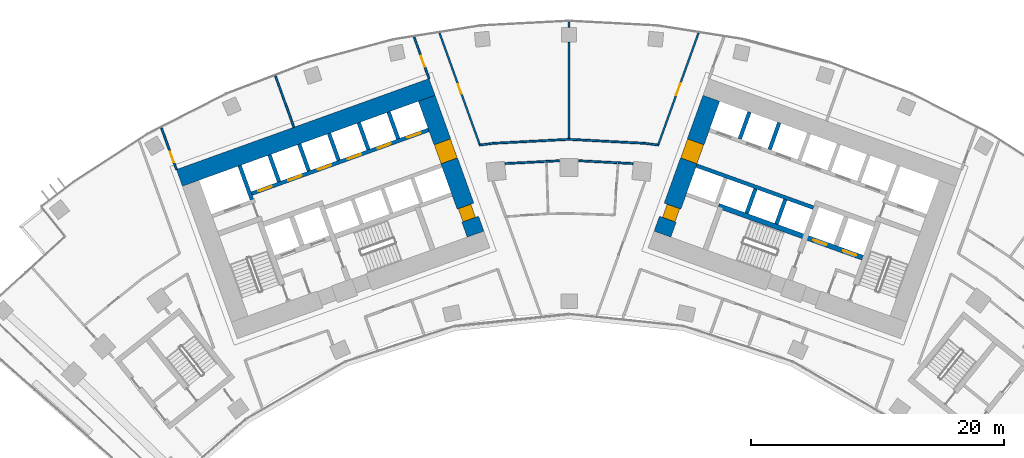
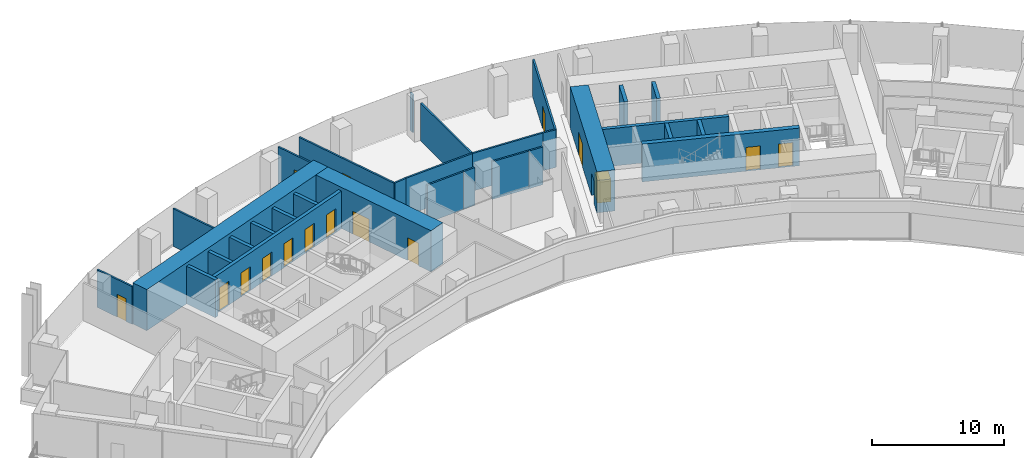
# One storey, part 15 of 20: 31 walls, 16 doors, 16 openings.
"""IFC4 building model written with IfcOpenShell, lengths in metres."""

from ifc_helpers import new_model, si_unit, direction, frame, frame_2d, origin, place, context, subcontext, project, spatial, rectangle, extrude, material, layer, layer_set, type_object, element, fill, save


model = new_model("IFC4")

# Units and contexts
model_context = context("Model", 3, precision=1e-05, world=origin(), true_north=direction((0.0, 1.0)))
body_context = subcontext(model_context, "Body", "Model", "MODEL_VIEW")
ifc_project = project(units=[si_unit("LENGTHUNIT", "METRE"), si_unit("AREAUNIT", "SQUARE_METRE"), si_unit("VOLUMEUNIT", "CUBIC_METRE"), si_unit("PLANEANGLEUNIT", "RADIAN"), si_unit("MASSUNIT", "GRAM", prefix="KILO")], contexts=[model_context])

# Site, building, storey
site_placement = place(None, origin())
site = spatial("IfcSite", under=ifc_project, at=site_placement, CompositionType="ELEMENT")
building_placement = place(site_placement, origin())
building = spatial("IfcBuilding", under=site, at=building_placement, Name="Stone Belt Terrace Tower", CompositionType="ELEMENT")
storey_placement = place(building_placement, frame((0.0, 0.0, 125.0)))
storey = spatial("IfcBuildingStorey", under=building, at=storey_placement, Name="L30", CompositionType="ELEMENT", Elevation=125.0)

# Wall
ifc_material_1 = material(Name="Concrete B80", Category="concrete")
ifc_layer_1 = layer(ifc_material_1, 1.39990234375)
ifc_layer_set_1 = layer_set([ifc_layer_1], Name="Core wall 1400 B80")
wall_type_1 = type_object("IfcWallType", Name="Core wall 1400 B80", PredefinedType="SHEAR", material=ifc_layer_set_1)
wall_1_placement = place(storey_placement, frame((-30.765380859375, 54.18310546875, 0.0), z_axis=(0.0, 0.0, 1.0), x_axis=(0.940919704758, 0.338629752382, 0.0)))
element("IfcWall", 1, at=wall_1_placement, inside=storey, type_object=wall_type_1, Name="Core A wall convex L30", PredefinedType="SHEAR", context=body_context, shape_type="SweptSolid", body=[
    extrude(rectangle(XDim=21.199951171875, YDim=1.39990234375, at=frame_2d((10.60009765625, 0.0))), origin(), (0.0, 0.0, 1.0), 3.800048828125),
])

# Wall, openings, doors
wall_2_placement = place(storey_placement, frame((-7.379150390625, 49.73974609375, 0.0), z_axis=(0.0, 0.0, 1.0), x_axis=(-0.338625431531, 0.940921259788, 0.0)))
wall_2 = element("IfcWall", 2, at=wall_2_placement, inside=storey, type_object=wall_type_1, Name="Core A wall end_b L30", PredefinedType="SHEAR", context=body_context, shape_type="SweptSolid", body=[
    extrude(rectangle(XDim=11.400146484375, YDim=1.39990234375, at=frame_2d((5.7001953125, 0.0))), origin(), (0.0, 0.0, 1.0), 3.800048828125),
])
opening_1_placement = place(wall_2_placement, frame((6.14990234375, 0.0, 0.0)))
opening_1 = element("IfcOpeningElement", 3, at=opening_1_placement, cuts=wall_2, Name="Opening L30-C02", PredefinedType="OPENING", context=body_context, shape_type="SweptSolid", body=[
    extrude(rectangle(XDim=1.60009765625, YDim=2.10009765625, at=frame_2d((0.800048828125, 1.050048828125))), frame((0.0, 0.7099609375, 0.0), z_axis=(0.0, -1.0, 0.0), x_axis=(1.0, 0.0, 0.0)), (0.0, 0.0, 1.0), 1.419921875),
])
opening_2_placement = place(wall_2_placement, frame((1.25, 0.0, 0.0)))
opening_2 = element("IfcOpeningElement", 4, at=opening_2_placement, cuts=wall_2, Name="Opening L30-C08", PredefinedType="OPENING", context=body_context, shape_type="SweptSolid", body=[
    extrude(rectangle(XDim=1.10009765625, YDim=2.10009765625, at=frame_2d((0.550048828125, 1.050048828125))), frame((0.0, 0.7099609375, 0.0), z_axis=(0.0, -1.0, 0.0), x_axis=(1.0, 0.0, 0.0)), (0.0, 0.0, 1.0), 1.419921875),
])
ifc_material_2 = material(Name="Timber door leaf", Category="wood")
door_type_1 = type_object("IfcDoorType", Name="Core room door 1100", OperationType="SINGLE_SWING_LEFT", PredefinedType="DOOR", material=ifc_material_2)
door_1_placement = place(opening_2_placement, origin())
door_1 = element("IfcDoor", 5, at=door_1_placement, inside=storey, type_object=door_type_1, Name="Door to Electrical riser room core A", OperationType="SINGLE_SWING_RIGHT", OverallHeight=2.10009765625, OverallWidth=1.10009765625, PredefinedType="DOOR", context=body_context, shape_type="SweptSolid", body=[
    extrude(rectangle(XDim=1.10009765625, YDim=2.10009765625, at=frame_2d((0.550048828125, 1.050048828125))), frame((0.0, 0.60498046875, 0.0), z_axis=(0.0, -1.0, 0.0), x_axis=(1.0, 0.0, 0.0)), (0.0, 0.0, 1.0), 1.050048828125),
])
fill(opening_2, door_1)
ifc_material_3 = material(Name="Glazed aluminium door leaf", Category="aluminium")
door_type_2 = type_object("IfcDoorType", Name="Lift lobby entrance door 1600", OperationType="DOUBLE_DOOR_SINGLE_SWING", PredefinedType="DOOR", material=ifc_material_3)
door_2_placement = place(opening_1_placement, origin())
door_2 = element("IfcDoor", 6, at=door_2_placement, inside=storey, type_object=door_type_2, Name="Lift lobby entrance door core A", OperationType="DOUBLE_DOOR_SINGLE_SWING", OverallHeight=2.10009765625, OverallWidth=1.60009765625, PredefinedType="DOOR", context=body_context, shape_type="SweptSolid", body=[
    extrude(rectangle(XDim=1.60009765625, YDim=2.10009765625, at=frame_2d((0.800048828125, 1.050048828125))), frame((0.0, 0.68017578125, 0.0), z_axis=(0.0, -1.0, 0.0), x_axis=(1.0, 0.0, 0.0)), (0.0, 0.0, 1.0), 1.360107421875),
])
fill(opening_1, door_2)

wall_3_placement = place(storey_placement, frame((7.379150390625, 49.73974609375, 0.0), z_axis=(0.0, 0.0, 1.0), x_axis=(0.338625431531, 0.940921259788, 0.0)))
wall_3 = element("IfcWall", 7, at=wall_3_placement, inside=storey, type_object=wall_type_1, Name="Core B wall end_a L30", PredefinedType="SHEAR", context=body_context, shape_type="SweptSolid", body=[
    extrude(rectangle(XDim=11.400146484375, YDim=1.39990234375, at=frame_2d((5.7001953125, 0.0))), origin(), (0.0, 0.0, 1.0), 3.800048828125),
])
opening_3_placement = place(wall_3_placement, frame((6.14990234375, 0.0, 0.0)))
opening_3 = element("IfcOpeningElement", 8, at=opening_3_placement, cuts=wall_3, Name="Opening L30-C10", PredefinedType="OPENING", context=body_context, shape_type="SweptSolid", body=[
    extrude(rectangle(XDim=1.60009765625, YDim=2.10009765625, at=frame_2d((0.800048828125, 1.050048828125))), frame((0.0, 0.7099609375, 0.0), z_axis=(0.0, -1.0, 0.0), x_axis=(1.0, 0.0, 0.0)), (0.0, 0.0, 1.0), 1.419921875),
])
opening_4_placement = place(wall_3_placement, frame((1.25, 0.0, 0.0)))
opening_4 = element("IfcOpeningElement", 9, at=opening_4_placement, cuts=wall_3, Name="Opening L30-C16", PredefinedType="OPENING", context=body_context, shape_type="SweptSolid", body=[
    extrude(rectangle(XDim=1.10009765625, YDim=2.10009765625, at=frame_2d((0.550048828125, 1.050048828125))), frame((0.0, 0.7099609375, 0.0), z_axis=(0.0, -1.0, 0.0), x_axis=(1.0, 0.0, 0.0)), (0.0, 0.0, 1.0), 1.419921875),
])
door_3_placement = place(opening_4_placement, origin())
door_3 = element("IfcDoor", 10, at=door_3_placement, inside=storey, type_object=door_type_1, Name="Door to Electrical riser room core B", OperationType="SINGLE_SWING_LEFT", OverallHeight=2.10009765625, OverallWidth=1.10009765625, PredefinedType="DOOR", context=body_context, shape_type="SweptSolid", body=[
    extrude(rectangle(XDim=1.10009765625, YDim=2.10009765625, at=frame_2d((0.550048828125, 1.050048828125))), frame((0.0, 0.44482421875, 0.0), z_axis=(0.0, -1.0, 0.0), x_axis=(1.0, 0.0, 0.0)), (0.0, 0.0, 1.0), 1.050048828125),
])
fill(opening_4, door_3)
door_4_placement = place(opening_3_placement, origin())
door_4 = element("IfcDoor", 11, at=door_4_placement, inside=storey, type_object=door_type_2, Name="Lift lobby entrance door core B", OperationType="DOUBLE_DOOR_SINGLE_SWING", OverallHeight=2.10009765625, OverallWidth=1.60009765625, PredefinedType="DOOR", context=body_context, shape_type="SweptSolid", body=[
    extrude(rectangle(XDim=1.60009765625, YDim=2.10009765625, at=frame_2d((0.800048828125, 1.050048828125))), frame((0.0, 0.68017578125, 0.0), z_axis=(0.0, -1.0, 0.0), x_axis=(1.0, 0.0, 0.0)), (0.0, 0.0, 1.0), 1.360107421875),
])
fill(opening_3, door_4)

# Wall
ifc_layer_2 = layer(ifc_material_1, 0.300048828125)
ifc_layer_set_2 = layer_set([ifc_layer_2], Name="Lift shaft wall 300")
wall_type_2 = type_object("IfcWallType", Name="Lift shaft wall 300", PredefinedType="SHEAR", material=ifc_layer_set_2)
wall_4_placement = place(storey_placement, frame((-25.046875, 52.46826171875, 0.0), z_axis=(0.0, 0.0, 1.0), x_axis=(-0.338549588058, 0.940948551423, 0.0)))
element("IfcWall", 12, at=wall_4_placement, inside=storey, type_object=wall_type_2, Name="Core A wall", PredefinedType="SHEAR", context=body_context, shape_type="SweptSolid", body=[
    extrude(rectangle(XDim=2.849853515625, YDim=0.300048828125, at=frame_2d((1.4248046875, 0.0))), origin(), (0.0, 0.0, 1.0), 3.47998046875),
])

# Wall, openings, doors
wall_5_placement = place(storey_placement, frame((-25.05810546875, 52.9423828125, 0.0), z_axis=(0.0, 0.0, 1.0), x_axis=(0.940918215764, 0.338633889685, 0.0)))
wall_5 = element("IfcWall", 13, at=wall_5_placement, inside=storey, type_object=wall_type_2, Name="Core A wall", PredefinedType="SHEAR", context=body_context, shape_type="SweptSolid", body=[
    extrude(rectangle(XDim=14.850341796875, YDim=0.300048828125, at=frame_2d((7.42529296875, 0.0))), origin(), (0.0, 0.0, 1.0), 3.47998046875),
])
opening_5_placement = place(wall_5_placement, frame((0.570068359375, 0.0, 0.0)))
opening_5 = element("IfcOpeningElement", 14, at=opening_5_placement, cuts=wall_5, Name="Opening L30-LD01", PredefinedType="OPENING", context=body_context, shape_type="SweptSolid", body=[
    extrude(rectangle(XDim=1.10009765625, YDim=2.199951171875, at=frame_2d((0.550048828125, 1.10009765625))), frame((0.0, 0.159912109375, 0.0), z_axis=(0.0, -1.0, 0.0), x_axis=(1.0, 0.0, 0.0)), (0.0, 0.0, 1.0), 0.320068359375),
])
opening_6_placement = place(wall_5_placement, frame((3.070068359375, 0.0, 0.0)))
opening_6 = element("IfcOpeningElement", 15, at=opening_6_placement, cuts=wall_5, Name="Opening L30-LD02", PredefinedType="OPENING", context=body_context, shape_type="SweptSolid", body=[
    extrude(rectangle(XDim=1.10009765625, YDim=2.199951171875, at=frame_2d((0.550048828125, 1.10009765625))), frame((0.0, 0.159912109375, 0.0), z_axis=(0.0, -1.0, 0.0), x_axis=(1.0, 0.0, 0.0)), (0.0, 0.0, 1.0), 0.320068359375),
])
opening_7_placement = place(wall_5_placement, frame((5.570068359375, 0.0, 0.0)))
opening_7 = element("IfcOpeningElement", 16, at=opening_7_placement, cuts=wall_5, Name="Opening L30-LD03", PredefinedType="OPENING", context=body_context, shape_type="SweptSolid", body=[
    extrude(rectangle(XDim=1.10009765625, YDim=2.199951171875, at=frame_2d((0.550048828125, 1.10009765625))), frame((0.0, 0.159912109375, 0.0), z_axis=(0.0, -1.0, 0.0), x_axis=(1.0, 0.0, 0.0)), (0.0, 0.0, 1.0), 0.320068359375),
])
opening_8_placement = place(wall_5_placement, frame((8.070068359375, 0.0, 0.0)))
opening_8 = element("IfcOpeningElement", 17, at=opening_8_placement, cuts=wall_5, Name="Opening L30-LD04", PredefinedType="OPENING", context=body_context, shape_type="SweptSolid", body=[
    extrude(rectangle(XDim=1.10009765625, YDim=2.199951171875, at=frame_2d((0.550048828125, 1.10009765625))), frame((0.0, 0.159912109375, 0.0), z_axis=(0.0, -1.0, 0.0), x_axis=(1.0, 0.0, 0.0)), (0.0, 0.0, 1.0), 0.320068359375),
])
opening_9_placement = place(wall_5_placement, frame((10.570068359375, 0.0, 0.0)))
opening_9 = element("IfcOpeningElement", 18, at=opening_9_placement, cuts=wall_5, Name="Opening L30-LD05", PredefinedType="OPENING", context=body_context, shape_type="SweptSolid", body=[
    extrude(rectangle(XDim=1.10009765625, YDim=2.199951171875, at=frame_2d((0.550048828125, 1.10009765625))), frame((0.0, 0.159912109375, 0.0), z_axis=(0.0, -1.0, 0.0), x_axis=(1.0, 0.0, 0.0)), (0.0, 0.0, 1.0), 0.320068359375),
])
opening_10_placement = place(wall_5_placement, frame((13.070068359375, 0.0, 0.0)))
opening_10 = element("IfcOpeningElement", 19, at=opening_10_placement, cuts=wall_5, Name="Opening L30-LD06", PredefinedType="OPENING", context=body_context, shape_type="SweptSolid", body=[
    extrude(rectangle(XDim=1.10009765625, YDim=2.199951171875, at=frame_2d((0.550048828125, 1.10009765625))), frame((0.0, 0.159912109375, 0.0), z_axis=(0.0, -1.0, 0.0), x_axis=(1.0, 0.0, 0.0)), (0.0, 0.0, 1.0), 0.320068359375),
])
ifc_material_4 = material(Name="Stainless steel door leaf", Category="steel")
door_type_3 = type_object("IfcDoorType", Name="Landing door 1100", OperationType="SLIDING_TO_LEFT", PredefinedType="DOOR", material=ifc_material_4)
door_5_placement = place(opening_5_placement, origin())
door_5 = element("IfcDoor", 20, at=door_5_placement, inside=storey, type_object=door_type_3, Name="Landing door LR1 core A", OperationType="SLIDING_TO_LEFT", OverallHeight=2.199951171875, OverallWidth=1.10009765625, PredefinedType="DOOR", context=body_context, shape_type="SweptSolid", body=[
    extrude(rectangle(XDim=1.10009765625, YDim=2.199951171875, at=frame_2d((0.550048828125, 1.10009765625))), frame((0.0, 0.02490234375, 0.0), z_axis=(0.0, -1.0, 0.0), x_axis=(1.0, 0.0, 0.0)), (0.0, 0.0, 1.0), 0.050048828125),
])
fill(opening_5, door_5)
door_6_placement = place(opening_6_placement, origin())
door_6 = element("IfcDoor", 21, at=door_6_placement, inside=storey, type_object=door_type_3, Name="Landing door LR2 core A", OperationType="SLIDING_TO_LEFT", OverallHeight=2.199951171875, OverallWidth=1.10009765625, PredefinedType="DOOR", context=body_context, shape_type="SweptSolid", body=[
    extrude(rectangle(XDim=1.10009765625, YDim=2.199951171875, at=frame_2d((0.550048828125, 1.10009765625))), frame((0.0, 0.02490234375, 0.0), z_axis=(0.0, -1.0, 0.0), x_axis=(1.0, 0.0, 0.0)), (0.0, 0.0, 1.0), 0.050048828125),
])
fill(opening_6, door_6)
door_7_placement = place(opening_7_placement, origin())
door_7 = element("IfcDoor", 22, at=door_7_placement, inside=storey, type_object=door_type_3, Name="Landing door LR3 core A", OperationType="SLIDING_TO_LEFT", OverallHeight=2.199951171875, OverallWidth=1.10009765625, PredefinedType="DOOR", context=body_context, shape_type="SweptSolid", body=[
    extrude(rectangle(XDim=1.10009765625, YDim=2.199951171875, at=frame_2d((0.550048828125, 1.10009765625))), frame((0.0, 0.02490234375, 0.0), z_axis=(0.0, -1.0, 0.0), x_axis=(1.0, 0.0, 0.0)), (0.0, 0.0, 1.0), 0.050048828125),
])
fill(opening_7, door_7)
door_8_placement = place(opening_8_placement, origin())
door_8 = element("IfcDoor", 23, at=door_8_placement, inside=storey, type_object=door_type_3, Name="Landing door LR4 core A", OperationType="SLIDING_TO_LEFT", OverallHeight=2.199951171875, OverallWidth=1.10009765625, PredefinedType="DOOR", context=body_context, shape_type="SweptSolid", body=[
    extrude(rectangle(XDim=1.10009765625, YDim=2.199951171875, at=frame_2d((0.550048828125, 1.10009765625))), frame((0.0, 0.02490234375, 0.0), z_axis=(0.0, -1.0, 0.0), x_axis=(1.0, 0.0, 0.0)), (0.0, 0.0, 1.0), 0.050048828125),
])
fill(opening_8, door_8)
door_9_placement = place(opening_9_placement, origin())
door_9 = element("IfcDoor", 24, at=door_9_placement, inside=storey, type_object=door_type_3, Name="Landing door LR5 core A", OperationType="SLIDING_TO_LEFT", OverallHeight=2.199951171875, OverallWidth=1.10009765625, PredefinedType="DOOR", context=body_context, shape_type="SweptSolid", body=[
    extrude(rectangle(XDim=1.10009765625, YDim=2.199951171875, at=frame_2d((0.550048828125, 1.10009765625))), frame((0.0, 0.02490234375, 0.0), z_axis=(0.0, -1.0, 0.0), x_axis=(1.0, 0.0, 0.0)), (0.0, 0.0, 1.0), 0.050048828125),
])
fill(opening_9, door_9)
door_10_placement = place(opening_10_placement, origin())
door_10 = element("IfcDoor", 25, at=door_10_placement, inside=storey, type_object=door_type_3, Name="Landing door LR6 core A", OperationType="SLIDING_TO_LEFT", OverallHeight=2.199951171875, OverallWidth=1.10009765625, PredefinedType="DOOR", context=body_context, shape_type="SweptSolid", body=[
    extrude(rectangle(XDim=1.10009765625, YDim=2.199951171875, at=frame_2d((0.550048828125, 1.10009765625))), frame((0.0, 0.02490234375, 0.0), z_axis=(0.0, -1.0, 0.0), x_axis=(1.0, 0.0, 0.0)), (0.0, 0.0, 1.0), 0.050048828125),
])
fill(opening_10, door_10)

# Walls
wall_6_placement = place(storey_placement, frame((-22.897705078125, 53.87939453125, 0.0), z_axis=(0.0, 0.0, 1.0), x_axis=(-0.338535034312, 0.940953787677, 0.0)))
element("IfcWall", 26, at=wall_6_placement, inside=storey, type_object=wall_type_2, Name="Core A wall", PredefinedType="SHEAR", context=body_context, shape_type="SweptSolid", body=[
    extrude(rectangle(XDim=2.25, YDim=0.300048828125, at=frame_2d((1.125, 0.0))), origin(), (0.0, 0.0, 1.0), 3.47998046875),
])
wall_7_placement = place(storey_placement, frame((-20.54541015625, 54.72607421875, 0.0), z_axis=(0.0, 0.0, 1.0), x_axis=(-0.338569601369, 0.940941350472, 0.0)))
element("IfcWall", 27, at=wall_7_placement, inside=storey, type_object=wall_type_2, Name="Core A wall", PredefinedType="SHEAR", context=body_context, shape_type="SweptSolid", body=[
    extrude(rectangle(XDim=2.249755859375, YDim=0.300048828125, at=frame_2d((1.125, 0.0))), origin(), (0.0, 0.0, 1.0), 3.47998046875),
])
wall_8_placement = place(storey_placement, frame((-18.193115234375, 55.572509765625, 0.0), z_axis=(0.0, 0.0, 1.0), x_axis=(-0.338535034312, 0.940953787677, 0.0)))
element("IfcWall", 28, at=wall_8_placement, inside=storey, type_object=wall_type_2, Name="Core A wall", PredefinedType="SHEAR", context=body_context, shape_type="SweptSolid", body=[
    extrude(rectangle(XDim=2.25, YDim=0.300048828125, at=frame_2d((1.125, 0.0))), origin(), (0.0, 0.0, 1.0), 3.47998046875),
])
wall_9_placement = place(storey_placement, frame((-15.8408203125, 56.419189453125, 0.0), z_axis=(0.0, 0.0, 1.0), x_axis=(-0.338569601369, 0.940941350472, 0.0)))
element("IfcWall", 29, at=wall_9_placement, inside=storey, type_object=wall_type_2, Name="Core A wall", PredefinedType="SHEAR", context=body_context, shape_type="SweptSolid", body=[
    extrude(rectangle(XDim=2.249755859375, YDim=0.300048828125, at=frame_2d((1.125, 0.0))), origin(), (0.0, 0.0, 1.0), 3.47998046875),
])
wall_10_placement = place(storey_placement, frame((-13.48828125, 57.265625, 0.0), z_axis=(0.0, 0.0, 1.0), x_axis=(-0.338631098537, 0.940919220286, 0.0)))
element("IfcWall", 30, at=wall_10_placement, inside=storey, type_object=wall_type_2, Name="Core A wall", PredefinedType="SHEAR", context=body_context, shape_type="SweptSolid", body=[
    extrude(rectangle(XDim=2.250244140625, YDim=0.300048828125, at=frame_2d((1.125, 0.0))), origin(), (0.0, 0.0, 1.0), 3.47998046875),
])
wall_11_placement = place(storey_placement, frame((19.29052734375, 51.829833984375, 0.0), z_axis=(0.0, 0.0, 1.0), x_axis=(-0.940925833398, 0.338612722803, 0.0)))
element("IfcWall", 31, at=wall_11_placement, inside=storey, type_object=wall_type_2, Name="Core B wall", PredefinedType="SHEAR", context=body_context, shape_type="SweptSolid", body=[
    extrude(rectangle(XDim=9.7998046875, YDim=0.300048828125, at=frame_2d((4.89990234375, 0.0))), origin(), (0.0, 0.0, 1.0), 3.47998046875),
])
for number, where, z_axis, x_axis, name in (
    (32, (16.38134765625, 50.53857421875, 0.0), (0.0, 0.0, 1.0), (0.338681515556, 0.940901073982, 0.0), "Core B wall"),
    (33, (14.029052734375, 51.38525390625, 0.0), (0.0, 0.0, 1.0), (0.338681515556, 0.940901073982, 0.0), "Core B wall"),
):
    element("IfcWall", number, at=place(storey_placement, frame(where, z_axis=z_axis, x_axis=x_axis)), inside=storey, type_object=wall_type_2, Name=name, PredefinedType="SHEAR", context=body_context, shape_type="SweptSolid", body=[
        extrude(rectangle(XDim=2.050048828125, YDim=0.300048828125, at=frame_2d((1.02490234375, 0.0))), origin(), (0.0, 0.0, 1.0), 3.47998046875),
    ])
wall_12_placement = place(storey_placement, frame((15.8408203125, 56.419189453125, 0.0), z_axis=(0.0, 0.0, 1.0), x_axis=(0.338569601369, 0.940941350472, 0.0)))
element("IfcWall", 34, at=wall_12_placement, inside=storey, type_object=wall_type_2, Name="Core B wall", PredefinedType="SHEAR", context=body_context, shape_type="SweptSolid", body=[
    extrude(rectangle(XDim=2.249755859375, YDim=0.300048828125, at=frame_2d((1.125, 0.0))), origin(), (0.0, 0.0, 1.0), 3.47998046875),
])
wall_13_placement = place(storey_placement, frame((13.48828125, 57.265625, 0.0), z_axis=(0.0, 0.0, 1.0), x_axis=(0.338631098537, 0.940919220286, 0.0)))
element("IfcWall", 35, at=wall_13_placement, inside=storey, type_object=wall_type_2, Name="Core B wall", PredefinedType="SHEAR", context=body_context, shape_type="SweptSolid", body=[
    extrude(rectangle(XDim=2.250244140625, YDim=0.300048828125, at=frame_2d((1.125, 0.0))), origin(), (0.0, 0.0, 1.0), 3.47998046875),
])

# Wall, opening, door
ifc_material_5 = material(Name="Gypsum board partition")
ifc_layer_3 = layer(ifc_material_5, 0.14990234375)
ifc_layer_set_3 = layer_set([ifc_layer_3], Name="PARTITION 150 EI 60")
wall_type_3 = type_object("IfcWallType", Name="PARTITION 150 EI 60", PredefinedType="PARTITIONING", material=ifc_layer_set_3)
wall_14_placement = place(storey_placement, frame((-32.185791015625, 58.131103515625, 0.0), z_axis=(0.0, 0.0, 1.0), x_axis=(0.338662585219, -0.940907887826, 0.0)))
wall_14 = element("IfcWall", 36, at=wall_14_placement, inside=storey, type_object=wall_type_3, Name="L30/wall/i002", PredefinedType="PARTITIONING", context=body_context, shape_type="SweptSolid", body=[
    extrude(rectangle(XDim=3.49560546875, YDim=0.14990234375, at=frame_2d((1.747802734375, 0.0))), origin(), (0.0, 0.0, 1.0), 3.47998046875),
])
opening_11_placement = place(wall_14_placement, frame((1.996337890625, 0.0, 0.0)))
opening_11 = element("IfcOpeningElement", 37, at=opening_11_placement, cuts=wall_14, Name="Opening D-B5-04", PredefinedType="OPENING", context=body_context, shape_type="SweptSolid", body=[
    extrude(rectangle(XDim=0.89990234375, YDim=2.10009765625, at=frame_2d((0.449951171875, 1.050048828125))), frame((0.0, 0.0849609375, 0.0), z_axis=(0.0, -1.0, 0.0), x_axis=(1.0, 0.0, 0.0)), (0.0, 0.0, 1.0), 0.169921875),
])
door_type_4 = type_object("IfcDoorType", Name="OFFICE DOOR 900 X 2100", OperationType="NOTDEFINED", PredefinedType="DOOR", material=ifc_material_2)
door_11_placement = place(opening_11_placement, origin())
door_11 = element("IfcDoor", 38, at=door_11_placement, inside=storey, type_object=door_type_4, Name="L30/door/i04", OperationType="SINGLE_SWING_RIGHT", OverallHeight=2.10009765625, OverallWidth=0.89990234375, PredefinedType="DOOR", context=body_context, shape_type="SweptSolid", body=[
    extrude(rectangle(XDim=0.89990234375, YDim=2.10009765625, at=frame_2d((0.449951171875, 1.050048828125))), frame((0.0, 0.02490234375, 0.0), z_axis=(0.0, -1.0, 0.0), x_axis=(1.0, 0.0, 0.0)), (0.0, 0.0, 1.0), 0.050048828125),
])
fill(opening_11, door_11)

wall_15_placement = place(storey_placement, frame((-11.054931640625, 62.02099609375, 0.0), z_axis=(0.0, 0.0, 1.0), x_axis=(-0.338853532575, 0.94083913793, 0.0)))
wall_15 = element("IfcWall", 39, at=wall_15_placement, inside=storey, type_object=wall_type_3, Name="L30/wall/i007", PredefinedType="PARTITIONING", context=body_context, shape_type="SweptSolid", body=[
    extrude(rectangle(XDim=3.482177734375, YDim=0.14990234375, at=frame_2d((1.7412109375, 0.0))), origin(), (0.0, 0.0, 1.0), 3.47998046875),
])
opening_12_placement = place(wall_15_placement, frame((0.99365234375, 0.0, 0.0)))
opening_12 = element("IfcOpeningElement", 40, at=opening_12_placement, cuts=wall_15, Name="Opening D-B5-05", PredefinedType="OPENING", context=body_context, shape_type="SweptSolid", body=[
    extrude(rectangle(XDim=0.89990234375, YDim=2.10009765625, at=frame_2d((0.449951171875, 1.050048828125))), frame((0.0, 0.0849609375, 0.0), z_axis=(0.0, -1.0, 0.0), x_axis=(1.0, 0.0, 0.0)), (0.0, 0.0, 1.0), 0.169921875),
])
door_12_placement = place(opening_12_placement, origin())
door_12 = element("IfcDoor", 41, at=door_12_placement, inside=storey, type_object=door_type_4, Name="L30/door/i05", OperationType="SINGLE_SWING_LEFT", OverallHeight=2.10009765625, OverallWidth=0.89990234375, PredefinedType="DOOR", context=body_context, shape_type="SweptSolid", body=[
    extrude(rectangle(XDim=0.89990234375, YDim=2.10009765625, at=frame_2d((0.449951171875, 1.050048828125))), frame((0.0, 0.02490234375, 0.0), z_axis=(0.0, -1.0, 0.0), x_axis=(1.0, 0.0, 0.0)), (0.0, 0.0, 1.0), 0.050048828125),
])
fill(opening_12, door_12)

wall_16_placement = place(storey_placement, frame((-10.223876953125, 65.6162109375, 0.0), z_axis=(0.0, 0.0, 1.0), x_axis=(0.338637655092, -0.940916860596, 0.0)))
wall_16 = element("IfcWall", 42, at=wall_16_placement, inside=storey, type_object=wall_type_3, Name="L30/wall/i010", PredefinedType="PARTITIONING", context=body_context, shape_type="SweptSolid", body=[
    extrude(rectangle(XDim=9.40478515625, YDim=0.14990234375, at=frame_2d((4.702392578125, 0.0))), origin(), (0.0, 0.0, 1.0), 3.47998046875),
])
opening_13_placement = place(wall_16_placement, frame((4.302490234375, 0.0, 0.0)))
opening_13 = element("IfcOpeningElement", 43, at=opening_13_placement, cuts=wall_16, Name="Opening D-B5-29", PredefinedType="OPENING", context=body_context, shape_type="SweptSolid", body=[
    extrude(rectangle(XDim=0.800048828125, YDim=2.10009765625, at=frame_2d((0.39990234375, 1.050048828125))), frame((0.0, 0.0849609375, 0.0), z_axis=(0.0, -1.0, 0.0), x_axis=(1.0, 0.0, 0.0)), (0.0, 0.0, 1.0), 0.169921875),
])
door_type_5 = type_object("IfcDoorType", Name="STORE DOOR 800 X 2100", OperationType="NOTDEFINED", PredefinedType="DOOR", material=ifc_material_2)
door_13_placement = place(opening_13_placement, origin())
door_13 = element("IfcDoor", 44, at=door_13_placement, inside=storey, type_object=door_type_5, Name="L30/door/i29", OperationType="SINGLE_SWING_RIGHT", OverallHeight=2.10009765625, OverallWidth=0.800048828125, PredefinedType="DOOR", context=body_context, shape_type="SweptSolid", body=[
    extrude(rectangle(XDim=0.800048828125, YDim=2.10009765625, at=frame_2d((0.39990234375, 1.050048828125))), frame((0.0, 0.02490234375, 0.0), z_axis=(0.0, -1.0, 0.0), x_axis=(1.0, 0.0, 0.0)), (0.0, 0.0, 1.0), 0.050048828125),
])
fill(opening_13, door_13)

# Wall
wall_17_placement = place(storey_placement, frame((-23.183837890625, 62.234130859375, 0.0), z_axis=(0.0, 0.0, 1.0), x_axis=(0.338633169917, -0.940918474806, 0.0)))
element("IfcWall", 45, at=wall_17_placement, inside=storey, type_object=wall_type_3, Name="L30/wall/i017", PredefinedType="PARTITIONING", context=body_context, shape_type="SweptSolid", body=[
    extrude(rectangle(XDim=4.3076171875, YDim=0.14990234375, at=frame_2d((2.15380859375, 0.0))), origin(), (0.0, 0.0, 1.0), 3.47998046875),
])

# Wall, opening, door
wall_18_placement = place(storey_placement, frame((7.0390625, 56.76708984375, 0.0), z_axis=(0.0, 0.0, 1.0), x_axis=(0.338637655092, 0.940916860596, 0.0)))
wall_18 = element("IfcWall", 46, at=wall_18_placement, inside=storey, type_object=wall_type_3, Name="L30/wall/i021", PredefinedType="PARTITIONING", context=body_context, shape_type="SweptSolid", body=[
    extrude(rectangle(XDim=9.40478515625, YDim=0.14990234375, at=frame_2d((4.702392578125, 0.0))), origin(), (0.0, 0.0, 1.0), 3.47998046875),
])
opening_14_placement = place(wall_18_placement, frame((4.202392578125, 0.0, 0.0)))
opening_14 = element("IfcOpeningElement", 47, at=opening_14_placement, cuts=wall_18, Name="Opening D-B5-30", PredefinedType="OPENING", context=body_context, shape_type="SweptSolid", body=[
    extrude(rectangle(XDim=1.0, YDim=2.10009765625, at=frame_2d((0.5, 1.050048828125))), frame((0.0, 0.0849609375, 0.0), z_axis=(0.0, -1.0, 0.0), x_axis=(1.0, 0.0, 0.0)), (0.0, 0.0, 1.0), 0.169921875),
])
ifc_material_6 = material(Name="Timber fire door leaf", Category="wood")
door_type_6 = type_object("IfcDoorType", Name="TENANCY ENTRANCE DOOR 1000 X 2100", OperationType="NOTDEFINED", PredefinedType="DOOR", material=ifc_material_6)
door_14_placement = place(opening_14_placement, origin())
door_14 = element("IfcDoor", 48, at=door_14_placement, inside=storey, type_object=door_type_6, Name="L30/door/i30", OperationType="SINGLE_SWING_RIGHT", OverallHeight=2.10009765625, OverallWidth=1.0, PredefinedType="DOOR", context=body_context, shape_type="SweptSolid", body=[
    extrude(rectangle(XDim=1.0, YDim=2.10009765625, at=frame_2d((0.5, 1.050048828125))), frame((0.0, 0.02490234375, 0.0), z_axis=(0.0, -1.0, 0.0), x_axis=(1.0, 0.0, 0.0)), (0.0, 0.0, 1.0), 0.050048828125),
])
fill(opening_14, door_14)

# Walls
wall_19_placement = place(storey_placement, frame((5.05419921875, 55.310302734375, 0.0), z_axis=(0.0, 0.0, 1.0), x_axis=(-0.998637698263, 0.052179954081, 0.0)))
element("IfcWall", 49, at=wall_19_placement, inside=storey, type_object=wall_type_3, Name="L30/wall/i077", PredefinedType="PARTITIONING", context=body_context, shape_type="SweptSolid", body=[
    extrude(rectangle(XDim=1.183837890625, YDim=0.14990234375, at=frame_2d((0.591796875, 0.0))), origin(), (0.0, 0.0, 1.0), 3.47998046875),
])
wall_20_placement = place(storey_placement, frame((-1.777099609375, 55.48193359375, 0.0), z_axis=(0.0, 0.0, 1.0), x_axis=(-0.998635243158, -0.052226919519, 0.0)))
element("IfcWall", 50, at=wall_20_placement, inside=storey, type_object=wall_type_3, Name="L30/wall/i078", PredefinedType="PARTITIONING", context=body_context, shape_type="SweptSolid", body=[
    extrude(rectangle(XDim=3.281494140625, YDim=0.14990234375, at=frame_2d((1.640625, 0.0))), origin(), (0.0, 0.0, 1.0), 3.47998046875),
])
wall_21_placement = place(storey_placement, frame((3.884033203125, 55.3720703125, 0.0), z_axis=(0.0, 0.0, 1.0), x_axis=(-0.998636491381, 0.052203046674, 0.0)))
element("IfcWall", 51, at=wall_21_placement, inside=storey, type_object=wall_type_3, Name="L30/wall/i079", PredefinedType="PARTITIONING", context=body_context, shape_type="SweptSolid", body=[
    extrude(rectangle(XDim=3.13330078125, YDim=0.14990234375, at=frame_2d((1.566650390625, 0.0))), origin(), (0.0, 0.0, 1.0), 3.47998046875),
])
wall_22_placement = place(storey_placement, frame((-0.7548828125, 55.535400390625, 0.0), z_axis=(0.0, 0.0, 1.0), x_axis=(-0.998617178026, -0.052571206492, 0.0)))
element("IfcWall", 52, at=wall_22_placement, inside=storey, type_object=wall_type_3, Name="L30/wall/i080", PredefinedType="PARTITIONING", context=body_context, shape_type="SweptSolid", body=[
    extrude(rectangle(XDim=1.03564453125, YDim=0.14990234375, at=frame_2d((0.517822265625, 0.0))), origin(), (0.0, 0.0, 1.0), 3.47998046875),
])
wall_23_placement = place(storey_placement, frame((-7.041015625, 56.77294921875, 0.0), z_axis=(0.0, 0.0, 1.0), x_axis=(0.991477617634, 0.130277142013, 0.0)))
element("IfcWall", 53, at=wall_23_placement, inside=storey, type_object=wall_type_3, Name="L30/wall/i081", PredefinedType="PARTITIONING", context=body_context, shape_type="SweptSolid", body=[
    extrude(rectangle(XDim=1.068115234375, YDim=0.14990234375, at=frame_2d((0.5341796875, 0.0))), origin(), (0.0, 0.0, 1.0), 3.47998046875),
])
for number, where, z_axis, x_axis, name in (
    (54, (-5.98193359375, 56.912109375, 0.0), (0.0, 0.0, 1.0), (0.998633994648, 0.052250786921, 0.0), "L30/wall/i082"),
    (55, (0.0, 57.22509765625, 0.0), (0.0, 0.0, 1.0), (0.998633994648, -0.052250786921, 0.0), "L30/wall/i083"),
):
    element("IfcWall", number, at=place(storey_placement, frame(where, z_axis=z_axis, x_axis=x_axis)), inside=storey, type_object=wall_type_3, Name=name, PredefinedType="PARTITIONING", context=body_context, shape_type="SweptSolid", body=[
        extrude(rectangle(XDim=5.990234375, YDim=0.14990234375, at=frame_2d((2.9951171875, 0.0))), origin(), (0.0, 0.0, 1.0), 3.47998046875),
    ])
wall_24_placement = place(storey_placement, frame((5.98193359375, 56.912109375, 0.0), z_axis=(0.0, 0.0, 1.0), x_axis=(0.991477617634, -0.130277142013, 0.0)))
element("IfcWall", 56, at=wall_24_placement, inside=storey, type_object=wall_type_3, Name="L30/wall/i084", PredefinedType="PARTITIONING", context=body_context, shape_type="SweptSolid", body=[
    extrude(rectangle(XDim=1.068115234375, YDim=0.14990234375, at=frame_2d((0.5341796875, 0.0))), origin(), (0.0, 0.0, 1.0), 3.47998046875),
])
wall_25_placement = place(storey_placement, frame((0.0, 66.5, 0.0), z_axis=(0.0, 0.0, 1.0), x_axis=(0.0, -1.0, 0.0)))
element("IfcWall", 57, at=wall_25_placement, inside=storey, type_object=wall_type_3, Name="L30/wall/i090", PredefinedType="PARTITIONING", context=body_context, shape_type="SweptSolid", body=[
    extrude(rectangle(XDim=0.406005859375, YDim=0.14990234375, at=frame_2d((0.203125, 0.0))), origin(), (0.0, 0.0, 1.0), 3.47998046875),
])
wall_26_placement = place(storey_placement, frame((0.0, 64.8837890625, 0.0), z_axis=(0.0, 0.0, 1.0), x_axis=(0.0, -1.0, 0.0)))
element("IfcWall", 58, at=wall_26_placement, inside=storey, type_object=wall_type_3, Name="L30/wall/i091", PredefinedType="PARTITIONING", context=body_context, shape_type="SweptSolid", body=[
    extrude(rectangle(XDim=7.65869140625, YDim=0.14990234375, at=frame_2d((3.829345703125, 0.0))), origin(), (0.0, 0.0, 1.0), 3.47998046875),
])

# Wall, openings, doors
ifc_layer_4 = layer(ifc_material_1, 0.39990234375)
ifc_layer_set_4 = layer_set([ifc_layer_4], Name="Stair enclosure wall 400")
wall_type_4 = type_object("IfcWallType", Name="Stair enclosure wall 400", PredefinedType="SHEAR", material=ifc_layer_set_4)
wall_27_placement = place(storey_placement, frame((23.182373046875, 47.87841796875, 0.0), z_axis=(0.0, 0.0, 1.0), x_axis=(-0.940921101762, 0.338625870628, 0.0)))
wall_27 = element("IfcWall", 59, at=wall_27_placement, inside=storey, type_object=wall_type_4, Name="Core B wall", PredefinedType="SHEAR", context=body_context, shape_type="SweptSolid", body=[
    extrude(rectangle(XDim=12.10009765625, YDim=0.39990234375, at=frame_2d((6.050048828125, 0.0))), origin(), (0.0, 0.0, 1.0), 3.47998046875),
])
opening_15_placement = place(wall_27_placement, frame((0.52001953125, 0.0, 0.0)))
opening_15 = element("IfcOpeningElement", 60, at=opening_15_placement, cuts=wall_27, Name="Opening L30-LD16", PredefinedType="OPENING", context=body_context, shape_type="SweptSolid", body=[
    extrude(rectangle(XDim=1.10009765625, YDim=2.199951171875, at=frame_2d((0.550048828125, 1.10009765625))), frame((0.0, 0.2099609375, 0.0), z_axis=(0.0, -1.0, 0.0), x_axis=(1.0, 0.0, 0.0)), (0.0, 0.0, 1.0), 0.419921875),
])
opening_16_placement = place(wall_27_placement, frame((3.02001953125, 0.0, 0.0)))
opening_16 = element("IfcOpeningElement", 61, at=opening_16_placement, cuts=wall_27, Name="Opening L30-LD17", PredefinedType="OPENING", context=body_context, shape_type="SweptSolid", body=[
    extrude(rectangle(XDim=1.10009765625, YDim=2.199951171875, at=frame_2d((0.550048828125, 1.10009765625))), frame((0.0, 0.2099609375, 0.0), z_axis=(0.0, -1.0, 0.0), x_axis=(1.0, 0.0, 0.0)), (0.0, 0.0, 1.0), 0.419921875),
])
door_15_placement = place(opening_15_placement, origin())
door_15 = element("IfcDoor", 62, at=door_15_placement, inside=storey, type_object=door_type_3, Name="Landing door FF1 core B", OperationType="SLIDING_TO_LEFT", OverallHeight=2.199951171875, OverallWidth=1.10009765625, PredefinedType="DOOR", context=body_context, shape_type="SweptSolid", body=[
    extrude(rectangle(XDim=1.10009765625, YDim=2.199951171875, at=frame_2d((0.550048828125, 1.10009765625))), frame((0.0, 0.02490234375, 0.0), z_axis=(0.0, -1.0, 0.0), x_axis=(1.0, 0.0, 0.0)), (0.0, 0.0, 1.0), 0.050048828125),
])
fill(opening_15, door_15)
door_16_placement = place(opening_16_placement, origin())
door_16 = element("IfcDoor", 63, at=door_16_placement, inside=storey, type_object=door_type_3, Name="Landing door FF2 core B", OperationType="SLIDING_TO_LEFT", OverallHeight=2.199951171875, OverallWidth=1.10009765625, PredefinedType="DOOR", context=body_context, shape_type="SweptSolid", body=[
    extrude(rectangle(XDim=1.10009765625, YDim=2.199951171875, at=frame_2d((0.550048828125, 1.10009765625))), frame((0.0, 0.02490234375, 0.0), z_axis=(0.0, -1.0, 0.0), x_axis=(1.0, 0.0, 0.0)), (0.0, 0.0, 1.0), 0.050048828125),
])
fill(opening_16, door_16)

save(model, "model.ifc")
